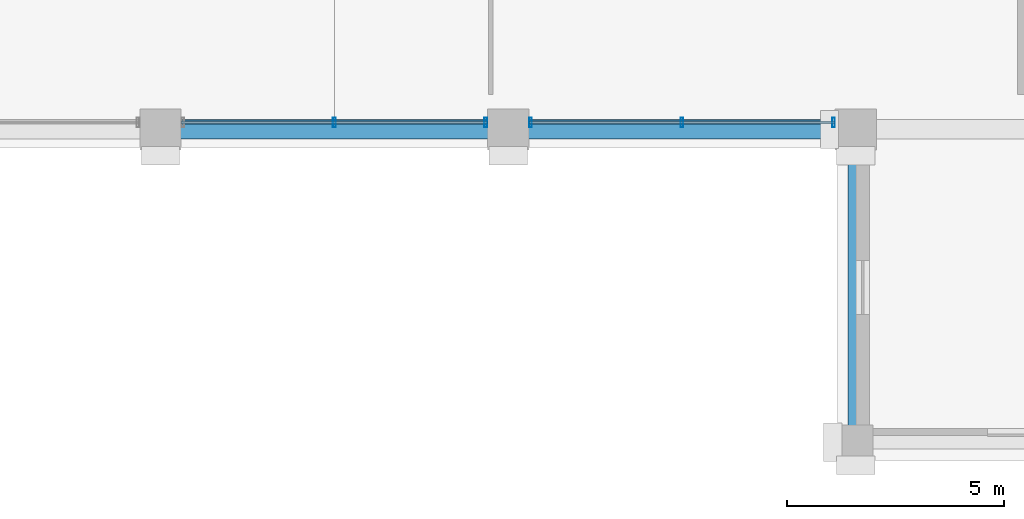
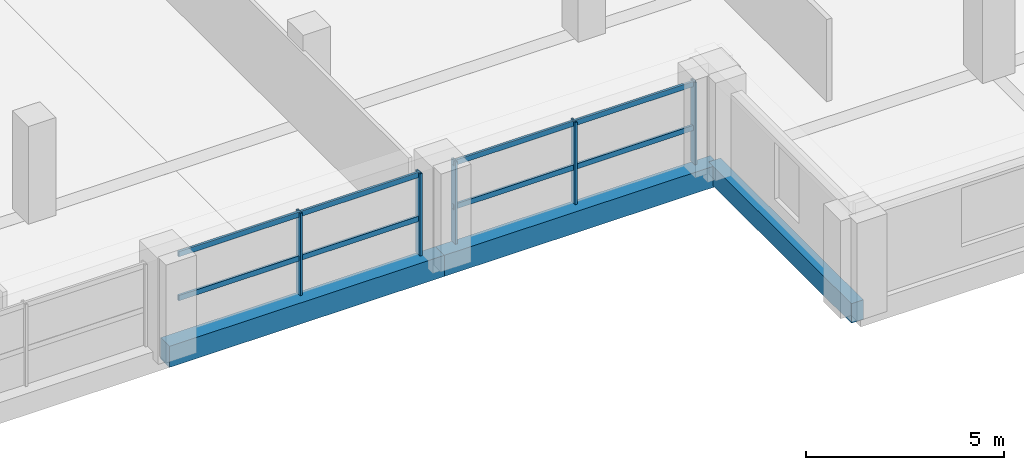
# One storey, part 7 of 22: 9 members, 3 beams, 2 elements without a shape of their own.
"""IFC4 building model written with IfcOpenShell, lengths in metres."""

from ifc_helpers import new_model, si_unit, direction, frame, origin, origin_2d, place, context, subcontext, project, spatial, rectangle, hollow_rectangle, extrude, material, material_profile, profile_set, type_object, element, aggregate, save


model = new_model("IFC4")

# Units and contexts
model_context = context("Model", 3, precision=1e-05, world=origin(), true_north=direction((0.0, 1.0)))
body_context = subcontext(model_context, "Body", "Model", "MODEL_VIEW")
ifc_project = project(units=[si_unit("LENGTHUNIT", "METRE"), si_unit("AREAUNIT", "SQUARE_METRE"), si_unit("VOLUMEUNIT", "CUBIC_METRE"), si_unit("PLANEANGLEUNIT", "RADIAN"), si_unit("MASSUNIT", "GRAM", prefix="KILO")], contexts=[model_context])

# Site, building, storey
site_placement = place(None, origin())
site = spatial("IfcSite", under=ifc_project, at=site_placement, CompositionType="ELEMENT")
building_placement = place(site_placement, origin())
building = spatial("IfcBuilding", under=site, at=building_placement, Name="Akrevak Sports Hall", CompositionType="ELEMENT")
storey_placement = place(building_placement, frame((0.0, 0.0, 40.550048828125)))
storey = spatial("IfcBuildingStorey", under=building, at=storey_placement, Name="L09", CompositionType="ELEMENT", Elevation=40.550048828125)

# Curtain wall, members
ifc_material_1 = material(Name="Anodized Bronze Aluminium & Low-E Glass", Category="aluminium")
curtain_wall_type = type_object("IfcCurtainWallType", Name="ARC-CW-TWR-68x30", PredefinedType="NOTDEFINED", material=ifc_material_1)
curtain_wall_1_placement = place(storey_placement, origin())
curtain_wall_1 = element("IfcCurtainWall", 1, at=curtain_wall_1_placement, inside=storey, type_object=curtain_wall_type, Name="Curtain Wall CW-L09-S05", PredefinedType="NOTDEFINED")
ifc_material_2 = material(Name="Anodized Bronze Aluminium", Category="aluminium")
ifc_material_profile_1 = material_profile(ifc_material_2, hollow_rectangle(XDim=0.06494140625, YDim=0.219970703125, WallThickness=0.00439453125, at=origin_2d()), Name="CWM 65x220", Category="aluminium")
ifc_profile_set_1 = profile_set([ifc_material_profile_1], Name="Anodized Bronze Aluminium")
member_type_1 = type_object("IfcMemberType", Name="ARC-CWM-70x160", PredefinedType="MULLION", material=ifc_profile_set_1)
member_1_placement = place(storey_placement, frame((80.0, 28.9599609375, 0.0), z_axis=(0.0, 0.0, 1.0), x_axis=(1.0, 0.0, 0.0)))
member_1 = element("IfcMember", 2, at=member_1_placement, type_object=member_type_1, Name="Curtain Wall Mullion CW-L09-S05-M2", PredefinedType="MULLION", context=body_context, shape_type="SweptSolid", body=[
    extrude(hollow_rectangle(XDim=0.06494140625, YDim=0.219970703125, WallThickness=0.00439453125, at=origin_2d()), origin(), (0.0, 0.0, 1.0), 2.530029296875),
])
member_2_placement = place(storey_placement, frame((83.485107421875, 28.9599609375, 0.0), z_axis=(0.0, 0.0, 1.0), x_axis=(1.0, 0.0, 0.0)))
member_2 = element("IfcMember", 3, at=member_2_placement, type_object=member_type_1, Name="Curtain Wall Mullion CW-L09-S05-M3", PredefinedType="MULLION", context=body_context, shape_type="SweptSolid", body=[
    extrude(hollow_rectangle(XDim=0.06494140625, YDim=0.219970703125, WallThickness=0.00439453125, at=origin_2d()), origin(), (0.0, 0.0, 1.0), 2.530029296875),
])

curtain_wall_2_placement = place(storey_placement, origin())
curtain_wall_2 = element("IfcCurtainWall", 4, at=curtain_wall_2_placement, inside=storey, type_object=curtain_wall_type, Name="Curtain Wall CW-L09-S06", PredefinedType="NOTDEFINED")
member_3_placement = place(storey_placement, frame((84.514892578125, 28.9599609375, 0.0), z_axis=(0.0, 0.0, 1.0), x_axis=(1.0, 0.0, 0.0)))
member_3 = element("IfcMember", 5, at=member_3_placement, type_object=member_type_1, Name="Curtain Wall Mullion CW-L09-S06-M1", PredefinedType="MULLION", context=body_context, shape_type="SweptSolid", body=[
    extrude(hollow_rectangle(XDim=0.06494140625, YDim=0.219970703125, WallThickness=0.00439453125, at=origin_2d()), origin(), (0.0, 0.0, 1.0), 2.530029296875),
])
member_4_placement = place(storey_placement, frame((88.0, 28.9599609375, 0.0), z_axis=(0.0, 0.0, 1.0), x_axis=(1.0, 0.0, 0.0)))
member_4 = element("IfcMember", 6, at=member_4_placement, type_object=member_type_1, Name="Curtain Wall Mullion CW-L09-S06-M2", PredefinedType="MULLION", context=body_context, shape_type="SweptSolid", body=[
    extrude(hollow_rectangle(XDim=0.06494140625, YDim=0.219970703125, WallThickness=0.00439453125, at=origin_2d()), origin(), (0.0, 0.0, 1.0), 2.530029296875),
])
member_5_placement = place(storey_placement, frame((91.485107421875, 28.9599609375, 0.0), z_axis=(0.0, 0.0, 1.0), x_axis=(1.0, 0.0, 0.0)))
member_5 = element("IfcMember", 7, at=member_5_placement, type_object=member_type_1, Name="Curtain Wall Mullion CW-L09-S06-M3", PredefinedType="MULLION", context=body_context, shape_type="SweptSolid", body=[
    extrude(hollow_rectangle(XDim=0.06494140625, YDim=0.219970703125, WallThickness=0.00439453125, at=origin_2d()), origin(), (0.0, 0.0, 1.0), 2.530029296875),
])

# Member
ifc_material_profile_2 = material_profile(ifc_material_2, hollow_rectangle(XDim=0.06494140625, YDim=0.159912109375, WallThickness=0.00390625, at=origin_2d()), Name="CWT 65x160", Category="aluminium")
ifc_profile_set_2 = profile_set([ifc_material_profile_2], Name="Anodized Bronze Aluminium")
member_type_2 = type_object("IfcMemberType", Name="ARC-CWT-70x130", PredefinedType="USERDEFINED", material=ifc_profile_set_2)
member_6_placement = place(storey_placement, frame((76.47509765625, 28.9599609375, 1.099853515625), z_axis=(1.0, 0.0, 0.0), x_axis=(0.0, 1.0, 0.0)))
member_6 = element("IfcMember", 8, at=member_6_placement, type_object=member_type_2, Name="Curtain Wall Transom CW-L09-S05-T1", ObjectType="TRANSOM", PredefinedType="USERDEFINED", context=body_context, shape_type="SweptSolid", body=[
    extrude(hollow_rectangle(XDim=0.06494140625, YDim=0.159912109375, WallThickness=0.00390625, at=origin_2d()), origin(), (0.0, 0.0, 1.0), 7.0498046875),
])

member_7_placement = place(storey_placement, frame((76.47509765625, 28.9599609375, 2.449951171875), z_axis=(1.0, 0.0, 0.0), x_axis=(0.0, 1.0, 0.0)))
member_7 = element("IfcMember", 9, at=member_7_placement, type_object=member_type_2, Name="Curtain Wall Transom CW-L09-S05-T2", ObjectType="TRANSOM", PredefinedType="USERDEFINED", context=body_context, shape_type="SweptSolid", body=[
    extrude(hollow_rectangle(XDim=0.06494140625, YDim=0.159912109375, WallThickness=0.00390625, at=origin_2d()), origin(), (0.0, 0.0, 1.0), 7.0498046875),
])

aggregate(curtain_wall_1, [member_1, member_2, member_6, member_7])

member_8_placement = place(storey_placement, frame((84.47509765625, 28.9599609375, 1.099853515625), z_axis=(1.0, 0.0, 0.0), x_axis=(0.0, 1.0, 0.0)))
member_8 = element("IfcMember", 10, at=member_8_placement, type_object=member_type_2, Name="Curtain Wall Transom CW-L09-S06-T1", ObjectType="TRANSOM", PredefinedType="USERDEFINED", context=body_context, shape_type="SweptSolid", body=[
    extrude(hollow_rectangle(XDim=0.06494140625, YDim=0.159912109375, WallThickness=0.00390625, at=origin_2d()), origin(), (0.0, 0.0, 1.0), 7.0498046875),
])

member_9_placement = place(storey_placement, frame((84.47509765625, 28.9599609375, 2.449951171875), z_axis=(1.0, 0.0, 0.0), x_axis=(0.0, 1.0, 0.0)))
member_9 = element("IfcMember", 11, at=member_9_placement, type_object=member_type_2, Name="Curtain Wall Transom CW-L09-S06-T2", ObjectType="TRANSOM", PredefinedType="USERDEFINED", context=body_context, shape_type="SweptSolid", body=[
    extrude(hollow_rectangle(XDim=0.06494140625, YDim=0.159912109375, WallThickness=0.00390625, at=origin_2d()), origin(), (0.0, 0.0, 1.0), 7.0498046875),
])

aggregate(curtain_wall_2, [member_3, member_4, member_5, member_8, member_9])

# Beams
ifc_material_3 = material(Name="Concrete C40/50", Category="concrete")
ifc_material_profile_3 = material_profile(ifc_material_3, rectangle(XDim=0.35009765625, YDim=0.60009765625, at=origin_2d()), Name="BM 350x600", Category="concrete")
ifc_profile_set_3 = profile_set([ifc_material_profile_3], Name="Concrete C40/50")
beam_type_1 = type_object("IfcBeamType", Name="STR-BM-RC350x600", PredefinedType="BEAM", material=ifc_profile_set_3)
beam_placement = place(storey_placement, frame((92.0, 21.60009765625, -0.300048828125), z_axis=(0.0, 1.0, 0.0), x_axis=(-1.0, 0.0, 0.0)))
element("IfcBeam", 12, at=beam_placement, inside=storey, type_object=beam_type_1, Name="Girder 13/D-E (L09)", PredefinedType="BEAM", context=body_context, shape_type="SweptSolid", body=[
    extrude(rectangle(XDim=0.35009765625, YDim=0.60009765625, at=origin_2d()), origin(), (0.0, 0.0, 1.0), 7.199951171875),
])
ifc_material_profile_4 = material_profile(ifc_material_3, rectangle(XDim=0.449951171875, YDim=0.64990234375, at=origin_2d()), Name="BM 450x650", Category="concrete")
ifc_profile_set_4 = profile_set([ifc_material_profile_4], Name="Concrete C40/50")
beam_type_2 = type_object("IfcBeamType", Name="STR-BM-RC450x650", PredefinedType="BEAM", material=ifc_profile_set_4)
for number, where, z_axis, x_axis, name in (
    (13, (76.0, 28.800048828125, -0.324951171875), (1.0, 0.0, 0.0), (0.0, 1.0, 0.0), "Girder E/11-12 (L09)"),
    (14, (84.0, 28.800048828125, -0.324951171875), (1.0, 0.0, 0.0), (0.0, 1.0, 0.0), "Girder E/12-13 (L09)"),
):
    element("IfcBeam", number, at=place(storey_placement, frame(where, z_axis=z_axis, x_axis=x_axis)), inside=storey, type_object=beam_type_2, Name=name, PredefinedType="BEAM", context=body_context, shape_type="SweptSolid", body=[
        extrude(rectangle(XDim=0.449951171875, YDim=0.64990234375, at=origin_2d()), origin(), (0.0, 0.0, 1.0), 8.0),
    ])

save(model, "model.ifc")
